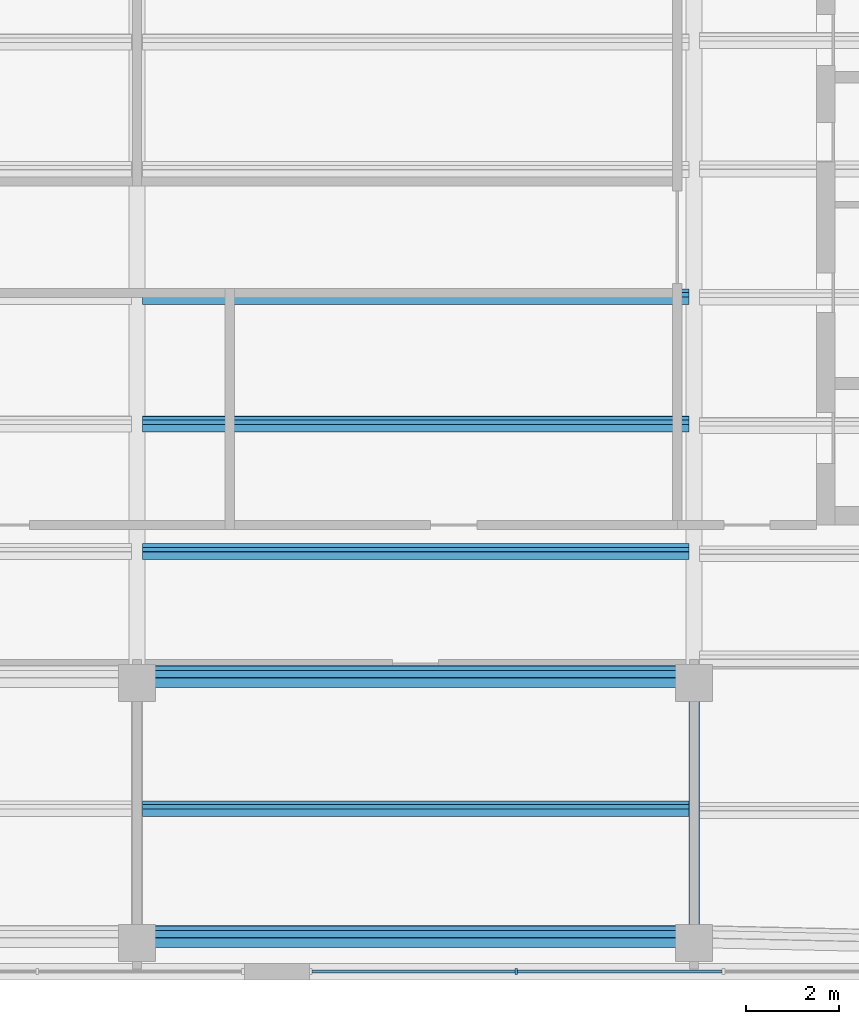
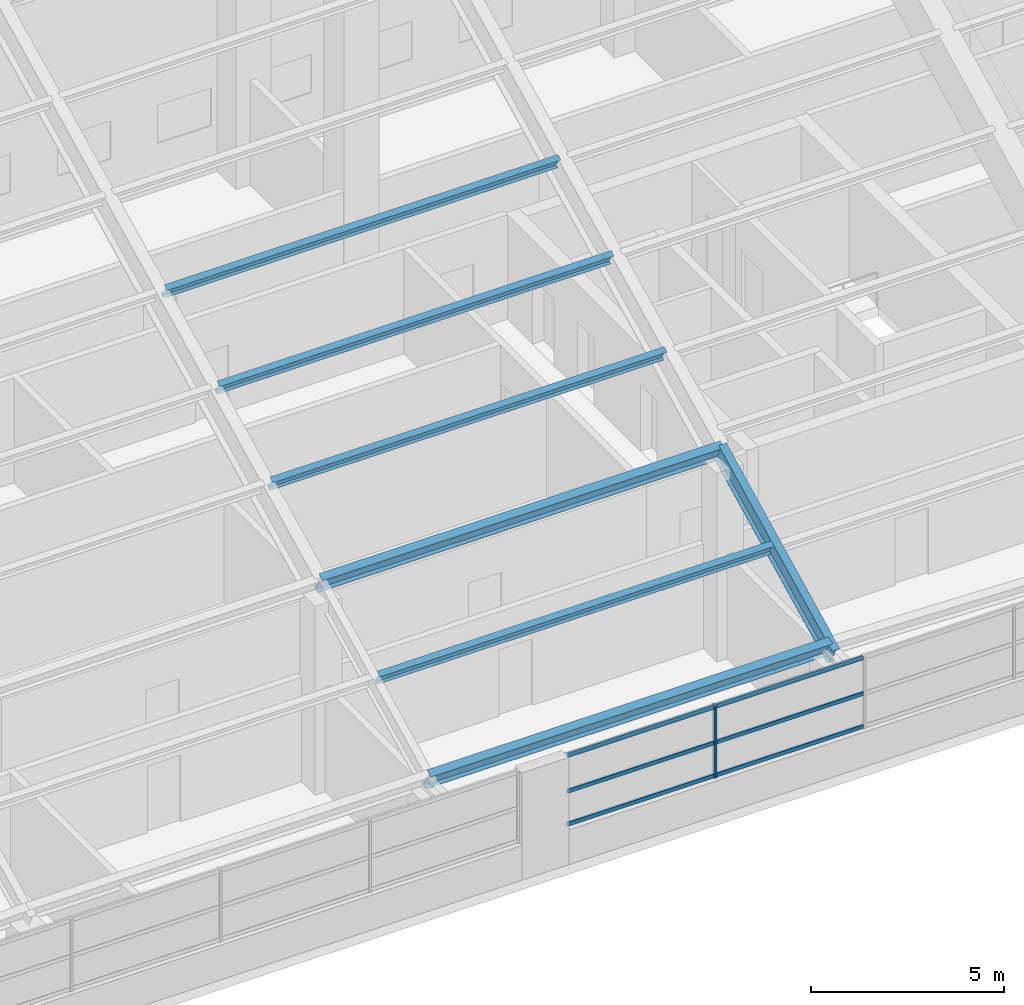
# One storey, part 5 of 28: 14 members, 1 element without a shape of its own.
"""IFC4 building model written with IfcOpenShell, lengths in metres."""

from ifc_helpers import new_model, si_unit, direction, frame, origin, origin_2d, place, context, subcontext, project, spatial, rectangle, i_section, extrude, material, material_profile, profile_set, type_object, element, aggregate, save


model = new_model("IFC4")

# Units and contexts
model_context = context("Model", 3, precision=1e-05, world=origin(), true_north=direction((0.0, 1.0)))
body_context = subcontext(model_context, "Body", "Model", "MODEL_VIEW")
ifc_project = project(units=[si_unit("LENGTHUNIT", "METRE"), si_unit("AREAUNIT", "SQUARE_METRE"), si_unit("VOLUMEUNIT", "CUBIC_METRE"), si_unit("PLANEANGLEUNIT", "RADIAN"), si_unit("MASSUNIT", "GRAM", prefix="KILO")], contexts=[model_context])

# Site, building, storey
site_placement = place(None, origin())
site = spatial("IfcSite", under=ifc_project, at=site_placement, CompositionType="ELEMENT")
building_placement = place(site_placement, origin())
building = spatial("IfcBuilding", under=site, at=building_placement, Name="Tuart Gate Housing", CompositionType="ELEMENT")
storey_placement = place(building_placement, frame((0.0, 0.0, 243.89990234375)))
storey = spatial("IfcBuildingStorey", under=building, at=storey_placement, Name="L68", CompositionType="ELEMENT", Elevation=243.89990234375)

# Members
ifc_material_1 = material(Name="Steel Grade 350", Category="steel")
ifc_material_profile_1 = material_profile(ifc_material_1, i_section(OverallWidth=0.22900390625, OverallDepth=0.612060546875, WebThickness=0.011962890625, FlangeThickness=0.01953125, at=origin_2d()), Name="610UB125")
ifc_profile_set_1 = profile_set([ifc_material_profile_1], Name="Steel Grade 350")
member_type_1 = type_object("IfcMemberType", Name="Crown purlin 610 UB125 (11.5-13.5 m)", PredefinedType="PURLIN", material=ifc_profile_set_1)
for number, where, z_axis, x_axis, name in (
    (1, (52.0, 54.936767578125, 3.426513671875), (1.0, 0.0, 0.0), (0.0, 0.89442680992, 0.44721435766), "Crown purlin 5"),
    (2, (52.0, 60.536865234375, 6.226318359375), (1.0, 0.0, 0.0), (0.0, 0.89442680992, 0.44721435766), "Crown purlin 17"),
):
    element("IfcMember", number, at=place(storey_placement, frame(where, z_axis=z_axis, x_axis=x_axis)), inside=storey, type_object=member_type_1, Name=name, PredefinedType="PURLIN", context=body_context, shape_type="SweptSolid", body=[
        extrude(i_section(OverallWidth=0.22900390625, OverallDepth=0.612060546875, WebThickness=0.011962890625, FlangeThickness=0.01953125, at=origin_2d()), origin(), (0.0, 0.0, 1.0), 12.0),
    ])
ifc_material_2 = material(Name="Steel Grade 350", Category="steel")
ifc_material_profile_2 = material_profile(ifc_material_2, i_section(OverallWidth=0.22900390625, OverallDepth=0.612060546875, WebThickness=0.011962890625, FlangeThickness=0.01953125, at=origin_2d()), Name="610UB125")
ifc_profile_set_2 = profile_set([ifc_material_profile_2], Name="Steel Grade 350")
member_type_2 = type_object("IfcMemberType", Name="Crown rafter 610 UB125", PredefinedType="RAFTER", material=ifc_profile_set_2)
member_1_placement = place(storey_placement, frame((64.0, 54.6630859375, 3.28955078125), z_axis=(0.0, 0.89443462622, 0.447198724751), x_axis=(-1.0, 0.0, 0.0)))
element("IfcMember", 3, at=member_1_placement, inside=storey, type_object=member_type_2, Name="Crown rafter 8", PredefinedType="RAFTER", context=body_context, shape_type="SweptSolid", body=[
    extrude(i_section(OverallWidth=0.22900390625, OverallDepth=0.612060546875, WebThickness=0.011962890625, FlangeThickness=0.01953125, at=origin_2d()), origin(), (0.0, 0.0, 1.0), 6.567138671875),
])
ifc_material_3 = material(Name="Steel Grade 350", Category="steel")
ifc_material_profile_3 = material_profile(ifc_material_3, i_section(OverallWidth=0.177978515625, OverallDepth=0.403076171875, WebThickness=0.007568359375, FlangeThickness=0.010986328125, at=origin_2d()), Name="410UB53.7")
ifc_profile_set_3 = profile_set([ifc_material_profile_3], Name="Steel Grade 350")
member_type_3 = type_object("IfcMemberType", Name="Crown secondary purlin 410 UB53.7", PredefinedType="PURLIN", material=ifc_profile_set_3)
for number, where, z_axis, x_axis, name in (
    (4, (52.114501953125, 57.690185546875, 4.919921875), (1.0, 0.0, 0.0), (0.0, 0.89442680992, 0.44721435766), "Crown secondary purlin 11"),
    (5, (52.114501953125, 63.23291015625, 7.69140625), (1.0, 0.0, 0.0), (0.0, 0.89442680992, 0.44721435766), "Crown secondary purlin 38"),
    (6, (52.114501953125, 65.975830078125, 9.062744140625), (1.0, 0.0, 0.0), (0.0, 0.89442680992, 0.44721435766), "Crown secondary purlin 47"),
    (7, (52.114501953125, 68.71875, 10.43408203125), (1.0, 0.0, 0.0), (0.0, 0.89442680992, 0.44721435766), "Crown secondary purlin 60"),
):
    element("IfcMember", number, at=place(storey_placement, frame(where, z_axis=z_axis, x_axis=x_axis)), inside=storey, type_object=member_type_3, Name=name, PredefinedType="PURLIN", context=body_context, shape_type="SweptSolid", body=[
        extrude(i_section(OverallWidth=0.177978515625, OverallDepth=0.403076171875, WebThickness=0.007568359375, FlangeThickness=0.010986328125, at=origin_2d()), origin(), (0.0, 0.0, 1.0), 11.77099609375),
    ])

# Curtain wall, members
ifc_material_4 = material(Name="Aluminium and clear glass", Category="aluminium")
curtain_wall_type = type_object("IfcCurtainWallType", Name="Crown clerestory glazing", PredefinedType="USERDEFINED", material=ifc_material_4)
curtain_wall_placement = place(storey_placement, origin())
curtain_wall = element("IfcCurtainWall", 8, at=curtain_wall_placement, inside=storey, type_object=curtain_wall_type, Name="Crown clerestory glazing BLK-S L68", ObjectType="CROWN CLERESTORY GLAZING", PredefinedType="USERDEFINED")
ifc_material_5 = material(Name="Anodised aluminium", Category="aluminium")
ifc_material_profile_4 = material_profile(ifc_material_5, rectangle(XDim=0.06005859375, YDim=0.125, at=origin_2d()), Name="60x125")
ifc_profile_set_4 = profile_set([ifc_material_profile_4], Name="Anodised aluminium")
member_type_4 = type_object("IfcMemberType", Name="Mullion 60 x 125", PredefinedType="MULLION", material=ifc_profile_set_4)
member_2_placement = place(storey_placement, frame((60.171630859375, 54.179931640625, 1.10009765625), z_axis=(0.0, 0.0, 1.0), x_axis=(1.0, 0.0, 0.0)))
member_2 = element("IfcMember", 9, at=member_2_placement, type_object=member_type_4, Name="CW6 mullion 2", PredefinedType="MULLION", context=body_context, shape_type="SweptSolid", body=[
    extrude(rectangle(XDim=0.06005859375, YDim=0.125, at=origin_2d()), origin(), (0.0, 0.0, 1.0), 2.2900390625),
])
ifc_material_6 = material(Name="Anodised aluminium", Category="aluminium")
ifc_material_profile_5 = material_profile(ifc_material_6, rectangle(XDim=0.06005859375, YDim=0.1201171875, at=origin_2d()), Name="60x120")
ifc_profile_set_5 = profile_set([ifc_material_profile_5], Name="Anodised aluminium")
member_type_5 = type_object("IfcMemberType", Name="Transom 60 x 120", PredefinedType="USERDEFINED", material=ifc_profile_set_5)
member_3_placement = place(storey_placement, frame((55.772216796875, 54.179931640625, 1.16015625), z_axis=(1.0, 0.0, 0.0), x_axis=(0.0, 1.0, 0.0)))
member_3 = element("IfcMember", 10, at=member_3_placement, type_object=member_type_5, Name="CW6 transom 1.1", ObjectType="TRANSOM", PredefinedType="USERDEFINED", context=body_context, shape_type="SweptSolid", body=[
    extrude(rectangle(XDim=0.06005859375, YDim=0.1201171875, at=origin_2d()), origin(), (0.0, 0.0, 1.0), 4.36962890625),
])
member_4_placement = place(storey_placement, frame((55.772216796875, 54.179931640625, 2.2001953125), z_axis=(1.0, 0.0, 0.0), x_axis=(0.0, 1.0, 0.0)))
member_4 = element("IfcMember", 11, at=member_4_placement, type_object=member_type_5, Name="CW6 transom 1.2", ObjectType="TRANSOM", PredefinedType="USERDEFINED", context=body_context, shape_type="SweptSolid", body=[
    extrude(rectangle(XDim=0.06005859375, YDim=0.1201171875, at=origin_2d()), origin(), (0.0, 0.0, 1.0), 4.36962890625),
])
member_5_placement = place(storey_placement, frame((55.772216796875, 54.179931640625, 3.330078125), z_axis=(1.0, 0.0, 0.0), x_axis=(0.0, 1.0, 0.0)))
member_5 = element("IfcMember", 12, at=member_5_placement, type_object=member_type_5, Name="CW6 transom 1.3", ObjectType="TRANSOM", PredefinedType="USERDEFINED", context=body_context, shape_type="SweptSolid", body=[
    extrude(rectangle(XDim=0.06005859375, YDim=0.1201171875, at=origin_2d()), origin(), (0.0, 0.0, 1.0), 4.36962890625),
])
member_6_placement = place(storey_placement, frame((60.20166015625, 54.179931640625, 1.16015625), z_axis=(1.0, 0.0, 0.0), x_axis=(0.0, 1.0, 0.0)))
member_6 = element("IfcMember", 13, at=member_6_placement, type_object=member_type_5, Name="CW6 transom 2.1", ObjectType="TRANSOM", PredefinedType="USERDEFINED", context=body_context, shape_type="SweptSolid", body=[
    extrude(rectangle(XDim=0.06005859375, YDim=0.1201171875, at=origin_2d()), origin(), (0.0, 0.0, 1.0), 4.3994140625),
])
member_7_placement = place(storey_placement, frame((60.20166015625, 54.179931640625, 2.2001953125), z_axis=(1.0, 0.0, 0.0), x_axis=(0.0, 1.0, 0.0)))
member_7 = element("IfcMember", 14, at=member_7_placement, type_object=member_type_5, Name="CW6 transom 2.2", ObjectType="TRANSOM", PredefinedType="USERDEFINED", context=body_context, shape_type="SweptSolid", body=[
    extrude(rectangle(XDim=0.06005859375, YDim=0.1201171875, at=origin_2d()), origin(), (0.0, 0.0, 1.0), 4.3994140625),
])
member_8_placement = place(storey_placement, frame((60.20166015625, 54.179931640625, 3.330078125), z_axis=(1.0, 0.0, 0.0), x_axis=(0.0, 1.0, 0.0)))
member_8 = element("IfcMember", 15, at=member_8_placement, type_object=member_type_5, Name="CW6 transom 2.3", ObjectType="TRANSOM", PredefinedType="USERDEFINED", context=body_context, shape_type="SweptSolid", body=[
    extrude(rectangle(XDim=0.06005859375, YDim=0.1201171875, at=origin_2d()), origin(), (0.0, 0.0, 1.0), 4.3994140625),
])
aggregate(curtain_wall, [member_2, member_3, member_4, member_5, member_6, member_7, member_8])

save(model, "model.ifc")
